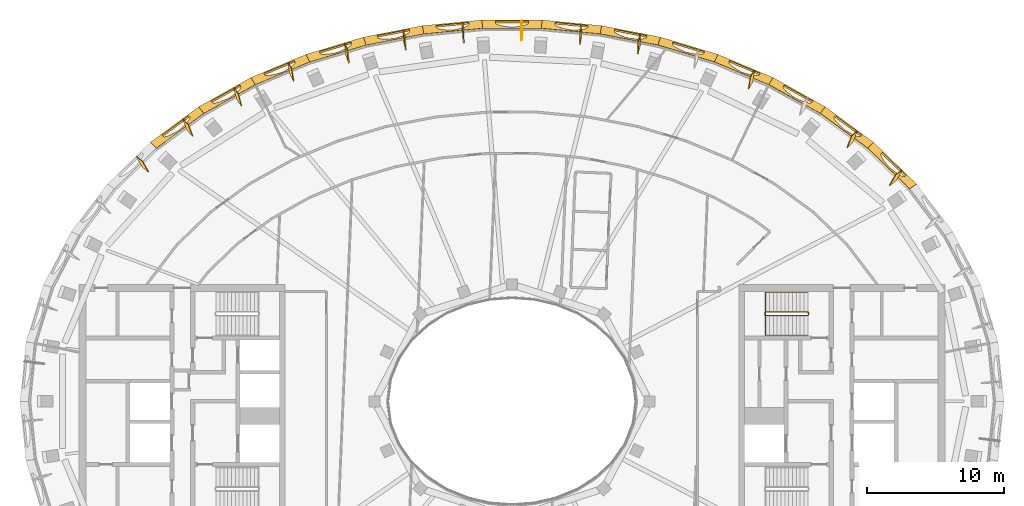
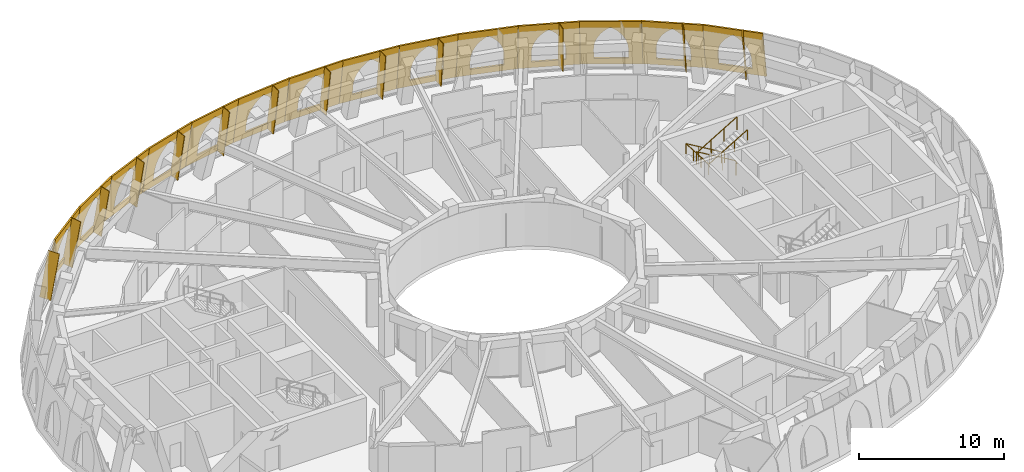
# One storey, part 13 of 14: 27 coverings, 2 railings.
"""IFC4 building model written with IfcOpenShell, lengths in metres."""

from ifc_helpers import new_model, si_unit, direction, frame, origin, origin_2d, place, context, subcontext, project, spatial, polyline, rectangle, outline, extrude, material, layer, layer_set, type_object, element, save


model = new_model("IFC4")

# Units and contexts
model_context = context("Model", 3, precision=1e-05, world=origin(), true_north=direction((0.0, 1.0)))
body_context = subcontext(model_context, "Body", "Model", "MODEL_VIEW")
ifc_project = project(units=[si_unit("LENGTHUNIT", "METRE"), si_unit("AREAUNIT", "SQUARE_METRE"), si_unit("VOLUMEUNIT", "CUBIC_METRE"), si_unit("PLANEANGLEUNIT", "RADIAN"), si_unit("MASSUNIT", "GRAM", prefix="KILO")], contexts=[model_context])

# Site, building, storey
site_placement = place(None, origin())
site = spatial("IfcSite", under=ifc_project, at=site_placement, CompositionType="ELEMENT")
building_placement = place(site_placement, origin())
building = spatial("IfcBuilding", under=site, at=building_placement, Name="Noorbagh Ring Tower", CompositionType="ELEMENT")
storey_placement = place(building_placement, frame((0.0, 0.0, 335.0)))
storey = spatial("IfcBuildingStorey", under=building, at=storey_placement, Name="L73", CompositionType="ELEMENT", Elevation=335.0)

# Railings
ifc_material_1 = material(Name="Stainless steel", Category="steel")
railing_type_1 = type_object("IfcRailingType", Name="CORE-STAIR-GUARD", PredefinedType="GUARDRAIL", material=ifc_material_1)
railing_1_placement = place(storey_placement, frame((21.580078125, 6.449951171875, 0.0)))
element("IfcRailing", 1, at=railing_1_placement, inside=storey, type_object=railing_type_1, Name="L73 ST3 stair guard", PredefinedType="GUARDRAIL", context=body_context, shape_type="SweptSolid", body=[
    extrude(rectangle(XDim=0.048095703125, YDim=0.048095703125, at=origin_2d()), frame((0.0, 0.0, 1.076171875), z_axis=(0.0, -1.0, 0.0), x_axis=(1.0, 0.0, 0.0)), (0.0, 0.0, 1.0), 0.14990234375),
    extrude(rectangle(XDim=0.048095703125, YDim=0.048095703125, at=origin_2d()), frame((0.0, -0.14990234375, 1.076171875), z_axis=(-0.188775798145, 0.754182335027, 0.628945707965), x_axis=(-0.970072785993, -0.242814311512, 0.0)), (0.0, 0.0, 1.0), 0.26513671875),
    extrude(rectangle(XDim=0.048095703125, YDim=0.048095703125, at=origin_2d()), frame((-0.050048828125, 0.050048828125, 1.24267578125), z_axis=(-0.859308565015, 0.0, 0.511457515432), x_axis=(0.0, -1.0, 0.0)), (0.0, 0.0, 1.0), 3.58447265625),
    extrude(rectangle(XDim=0.048095703125, YDim=0.048095703125, at=origin_2d()), frame((-3.130126953125, 0.050048828125, 3.076171875), z_axis=(-0.707106781187, -0.707106781187, 0.0), x_axis=(0.707106781187, -0.707106781187, 0.0)), (0.0, 0.0, 1.0), 0.07080078125),
    extrude(rectangle(XDim=0.048095703125, YDim=0.048095703125, at=origin_2d()), frame((-3.18017578125, 0.0, 3.076171875), z_axis=(0.0, -1.0, 0.0), x_axis=(1.0, 0.0, 0.0)), (0.0, 0.0, 1.0), 0.14990234375),
    extrude(rectangle(XDim=0.048095703125, YDim=0.048095703125, at=origin_2d()), frame((-3.18017578125, -0.14990234375, 3.076171875), z_axis=(0.27628659633, -0.27628659633, 0.920506074601), x_axis=(0.707106781187, 0.707106781187, 0.0)), (0.0, 0.0, 1.0), 0.18115234375),
    extrude(rectangle(XDim=0.048095703125, YDim=0.048095703125, at=origin_2d()), frame((-3.130126953125, -0.199951171875, 3.24267578125), z_axis=(0.859308565015, 0.0, 0.511457515432), x_axis=(0.0, 1.0, 0.0)), (0.0, 0.0, 1.0), 3.58447265625),
    extrude(rectangle(XDim=0.0419921875, YDim=0.0419921875, at=origin_2d()), origin(), (0.0, 0.0, 1.0), 1.052001953125),
    extrude(rectangle(XDim=0.0419921875, YDim=0.0419921875, at=origin_2d()), frame((-1.07666015625, 0.050048828125, 0.77783203125)), (0.0, 0.0, 1.0), 1.052001953125),
    extrude(rectangle(XDim=0.0419921875, YDim=0.0419921875, at=origin_2d()), frame((-2.103515625, 0.050048828125, 1.388916015625)), (0.0, 0.0, 1.0), 1.052001953125),
    extrude(rectangle(XDim=0.0419921875, YDim=0.0419921875, at=origin_2d()), frame((-3.130126953125, 0.050048828125, 2.0)), (0.0, 0.0, 1.0), 1.052001953125),
    extrude(rectangle(XDim=0.0419921875, YDim=0.0419921875, at=origin_2d()), frame((-3.130126953125, -0.199951171875, 2.166748046875)), (0.0, 0.0, 1.0), 1.052001953125),
    extrude(rectangle(XDim=0.0419921875, YDim=0.0419921875, at=origin_2d()), frame((-2.103515625, -0.199951171875, 2.77783203125)), (0.0, 0.0, 1.0), 1.052001953125),
    extrude(rectangle(XDim=0.0419921875, YDim=0.0419921875, at=origin_2d()), frame((-1.07666015625, -0.199951171875, 3.388916015625)), (0.0, 0.0, 1.0), 1.052001953125),
    extrude(rectangle(XDim=0.0419921875, YDim=0.0419921875, at=origin_2d()), frame((-0.050048828125, -0.199951171875, 4.0)), (0.0, 0.0, 1.0), 1.052001953125),
])
ifc_material_2 = material(Name="Stainless steel", Category="steel")
railing_type_2 = type_object("IfcRailingType", Name="CORE-STAIR-HANDRAIL", PredefinedType="HANDRAIL", material=ifc_material_2)
railing_2_placement = place(storey_placement, frame((21.530029296875, 7.949951171875, 0.166748046875)))
element("IfcRailing", 2, at=railing_2_placement, inside=storey, type_object=railing_type_2, Name="L73 ST3 stair handrail", PredefinedType="HANDRAIL", context=body_context, shape_type="SweptSolid", body=[
    extrude(rectangle(XDim=0.048095703125, YDim=0.048095703125, at=origin_2d()), frame((0.0, 0.0, 0.8759765625), z_axis=(-0.859308565015, 0.0, 0.511457515432), x_axis=(0.0, -1.0, 0.0)), (0.0, 0.0, 1.0), 3.58447265625),
    extrude(rectangle(XDim=0.048095703125, YDim=0.048095703125, at=origin_2d()), frame((-3.080078125, 0.0, 2.708984375), z_axis=(0.0, -0.998601747152, 0.052863509014), x_axis=(1.0, 0.0, 0.0)), (0.0, 0.0, 1.0), 3.154296875),
    extrude(rectangle(XDim=0.048095703125, YDim=0.048095703125, at=origin_2d()), frame((-3.080078125, -3.14990234375, 2.8759765625), z_axis=(0.859308565015, 0.0, 0.511457515432), x_axis=(0.0, 1.0, 0.0)), (0.0, 0.0, 1.0), 3.58447265625),
    extrude(rectangle(XDim=0.0419921875, YDim=0.0419921875, at=origin_2d()), origin(), (0.0, 0.0, 1.0), 0.851806640625),
    extrude(rectangle(XDim=0.0419921875, YDim=0.0419921875, at=origin_2d()), frame((-1.026611328125, 0.0, 0.611083984375)), (0.0, 0.0, 1.0), 0.851806640625),
    extrude(rectangle(XDim=0.0419921875, YDim=0.0419921875, at=origin_2d()), frame((-2.053466796875, 0.0, 1.22216796875)), (0.0, 0.0, 1.0), 0.851806640625),
    extrude(rectangle(XDim=0.0419921875, YDim=0.0419921875, at=origin_2d()), frame((-3.080078125, 0.0, 1.833251953125)), (0.0, 0.0, 1.0), 0.851806640625),
    extrude(rectangle(XDim=0.0419921875, YDim=0.0419921875, at=origin_2d()), frame((-3.080078125, -1.050048828125, 1.888916015625)), (0.0, 0.0, 1.0), 0.851806640625),
    extrude(rectangle(XDim=0.0419921875, YDim=0.0419921875, at=origin_2d()), frame((-3.080078125, -2.099853515625, 1.9443359375)), (0.0, 0.0, 1.0), 0.851806640625),
    extrude(rectangle(XDim=0.0419921875, YDim=0.0419921875, at=origin_2d()), frame((-3.080078125, -3.14990234375, 2.0)), (0.0, 0.0, 1.0), 0.851806640625),
    extrude(rectangle(XDim=0.0419921875, YDim=0.0419921875, at=origin_2d()), frame((-2.053466796875, -3.14990234375, 2.611083984375)), (0.0, 0.0, 1.0), 0.851806640625),
    extrude(rectangle(XDim=0.0419921875, YDim=0.0419921875, at=origin_2d()), frame((-1.026611328125, -3.14990234375, 3.22216796875)), (0.0, 0.0, 1.0), 0.851806640625),
    extrude(rectangle(XDim=0.0419921875, YDim=0.0419921875, at=origin_2d()), frame((0.0, -3.14990234375, 3.833251953125)), (0.0, 0.0, 1.0), 0.851806640625),
])

# Coverings
ifc_material_3 = material(Name="Aluminium 6063-T6 black anodised", Category="aluminium")
ifc_layer_1 = layer(ifc_material_3, 0.050048828125)
ifc_layer_set_1 = layer_set([ifc_layer_1], Name="Aluminium 6063-T6 black anodised")
covering_type_1 = type_object("IfcCoveringType", Name="STYLE-HEAD-FIN", PredefinedType="CLADDING", material=ifc_layer_set_1)
covering_1_placement = place(storey_placement, frame((28.400390625, 16.8251953125, 0.0), z_axis=(0.863838294479, -0.50043046025, 0.057902983041), x_axis=(-0.118580178798, -0.090277835868, 0.988831964263)))
element("IfcCovering", 3, at=covering_1_placement, inside=storey, type_object=covering_type_1, Name="Fin rib F05 L73", ObjectType="FIN", PredefinedType="CLADDING", context=body_context, shape_type="SweptSolid", body=[
    extrude(outline(polyline([(0.0, 0.0), (4.045670473682091, 0.0), (4.169479669687322, 0.8914988331312648), (0.12380919600523096, 0.8914988331312648), (0.0, 0.0)])), origin(), (0.0, 0.0, -1.0), 0.050048828125),
])
covering_2_placement = place(storey_placement, frame((25.1455078125, 19.7080078125, 0.0), z_axis=(0.930063475621, -0.362466141249, 0.060001898001), x_axis=(-0.105045115246, -0.105851738948, 0.988817947412)))
element("IfcCovering", 4, at=covering_2_placement, inside=storey, type_object=covering_type_1, Name="Fin rib F06 L73", ObjectType="FIN", PredefinedType="CLADDING", context=body_context, shape_type="SweptSolid", body=[
    extrude(outline(polyline([(0.0, 0.0), (4.045732026869076, 0.0), (4.168789945752913, 0.8913152034637024), (0.12310940737363034, 0.8916272220388416), (0.0, 0.0)])), origin(), (0.0, 0.0, -1.0), 0.050048828125),
])
covering_3_placement = place(storey_placement, frame((17.66162109375, 24.122802734375, 0.0), z_axis=(0.986155065295, -0.157113016858, 0.053044199754), x_axis=(-0.073856126435, -0.129739897216, 0.988793624402)))
element("IfcCovering", 5, at=covering_3_placement, inside=storey, type_object=covering_type_1, Name="Fin rib F08 L73", ObjectType="FIN", PredefinedType="CLADDING", context=body_context, shape_type="SweptSolid", body=[
    extrude(outline(polyline([(0.0, 0.0), (4.04582837090453, 0.0), (4.171614386308706, 0.8912915142073211), (0.12575434062458163, 0.8910524952912179), (0.0, 0.0)])), origin(), (0.0, 0.0, -1.0), 0.050048828125),
])
covering_4_placement = place(storey_placement, frame((9.377685546875, 26.780029296875, 0.0), z_axis=(0.998453433548, -0.044601653719, 0.033187852025), x_axis=(-0.039313208081, -0.144345509092, 0.988746097679)))
element("IfcCovering", 6, at=covering_4_placement, inside=storey, type_object=covering_type_1, Name="Fin rib F10 L73", ObjectType="FIN", PredefinedType="CLADDING", context=body_context, shape_type="SweptSolid", body=[
    extrude(outline(polyline([(0.0, 0.0), (4.045779169894158, 0.0), (4.177144374023018, 0.8904228444187793), (0.13133956147724696, 0.8901911030947073), (0.0, 0.0)])), origin(), (0.0, 0.0, -1.0), 0.050048828125),
])
covering_5_placement = place(storey_placement, frame((5.07568359375, 27.471923828125, 0.0), z_axis=(0.999730598591, -0.012339005082, 0.019659074098), x_axis=(-0.021271979871, -0.148212736495, 0.988726700162)))
element("IfcCovering", 7, at=covering_5_placement, inside=storey, type_object=covering_type_1, Name="Fin rib F11 L73", ObjectType="FIN", PredefinedType="CLADDING", context=body_context, shape_type="SweptSolid", body=[
    extrude(outline(polyline([(0.0, 0.0), (4.0456098010690145, -1.1102230246251565e-16), (4.1792566757149485, 0.8902375471595666), (0.13361588325027393, 0.8899983888723073), (0.0, 0.0)])), origin(), (0.0, 0.0, -1.0), 0.050048828125),
])
covering_6_placement = place(storey_placement, frame((0.72705078125, 27.747802734375, 0.0), z_axis=(0.999916647804, 0.011936064163, 0.004922176051), x_axis=(-0.00307760824, -0.149897624845, 0.988696733277)))
element("IfcCovering", 8, at=covering_6_placement, inside=storey, type_object=covering_type_1, Name="Fin rib F12 L73", ObjectType="FIN", PredefinedType="CLADDING", context=body_context, shape_type="SweptSolid", body=[
    extrude(outline(polyline([(0.0, 0.0), (4.045729964880786, 0.0), (4.180590128556626, 0.889804674708081), (0.1348601636758405, 0.889804674708081), (0.0, 0.0)])), origin(), (0.0, 0.0, -1.0), 0.050048828125),
])
covering_7_placement = place(storey_placement, frame((-3.62841796875, 27.60986328125, 0.0), z_axis=(-0.999322825853, -0.035394661087, 0.010055232219), x_axis=(0.015235823563, -0.14929206221, 0.988675755666)))
element("IfcCovering", 9, at=covering_7_placement, inside=storey, type_object=covering_type_1, Name="Fin rib F13 L73", ObjectType="FIN", PredefinedType="CLADDING", context=body_context, shape_type="SweptSolid", body=[
    extrude(outline(polyline([(0.0, 0.0), (4.045817091332591, -1.1102230246251565e-16), (4.1806124786144645, -0.8900687549625335), (0.13476265870798565, -0.8898356820199538), (0.0, 0.0)])), origin(), (0.0, 0.0, -1.0), 0.050048828125),
])
covering_8_placement = place(storey_placement, frame((-7.950439453125, 27.05712890625, 0.0), z_axis=(-0.997588792025, -0.065086668502, 0.024089989806), x_axis=(0.033433447442, -0.146519102618, 0.98864268427)))
element("IfcCovering", 10, at=covering_8_placement, inside=storey, type_object=covering_type_1, Name="Fin rib F14 L73", ObjectType="FIN", PredefinedType="CLADDING", context=body_context, shape_type="SweptSolid", body=[
    extrude(outline(polyline([(0.0, 0.0), (4.045704005720509, 0.0), (4.179229710509466, -0.8898971362411975), (0.13356147605424487, -0.8901381187296139), (0.0, 0.0)])), origin(), (0.0, 0.0, -1.0), 0.050048828125),
])
covering_9_placement = place(storey_placement, frame((-12.197021484375, 26.084716796875, 0.0), z_axis=(-0.993561817151, -0.107353473286, 0.036195956581), x_axis=(0.051292861275, -0.141387263492, 0.988624642675)))
element("IfcCovering", 11, at=covering_9_placement, inside=storey, type_object=covering_type_1, Name="Fin rib F15 L73", ObjectType="FIN", PredefinedType="CLADDING", context=body_context, shape_type="SweptSolid", body=[
    extrude(outline(polyline([(0.0, 0.0), (4.045778030124915, 1.1102230246251565e-16), (4.177246851844358, -0.890329102387943), (0.13146882171944244, -0.8903291023879432), (0.0, 0.0)])), origin(), (0.0, 0.0, -1.0), 0.050048828125),
])
covering_10_placement = place(storey_placement, frame((-16.321533203125, 24.685546875, 0.0), z_axis=(-0.984725874289, -0.168004964793, 0.045708689656), x_axis=(0.068735391687, -0.133910302154, 0.988606836364)))
element("IfcCovering", 12, at=covering_10_placement, inside=storey, type_object=covering_type_1, Name="Fin rib F16 L73", ObjectType="FIN", PredefinedType="CLADDING", context=body_context, shape_type="SweptSolid", body=[
    extrude(outline(polyline([(0.0, 0.0), (4.045603946517271, 0.0), (4.174814391066827, -0.8907036559767814), (0.12921044454955732, -0.8907036559767814), (0.0, 0.0)])), origin(), (0.0, 0.0, -1.0), 0.050048828125),
])
covering_11_placement = place(storey_placement, frame((-20.26953125, 22.849853515625, 0.0), z_axis=(-0.966350322354, -0.251950041993, 0.051848151617), x_axis=(0.085389945981, -0.124071893242, 0.988592293331)))
element("IfcCovering", 13, at=covering_11_placement, inside=storey, type_object=covering_type_1, Name="Fin rib F17 L73", ObjectType="FIN", PredefinedType="CLADDING", context=body_context, shape_type="SweptSolid", body=[
    extrude(outline(polyline([(0.0, 0.0), (4.0456634607936985, -1.1102230246251565e-16), (4.173099274503681, -0.8908934912765389), (0.12743581370998172, -0.8908934912765388), (0.0, 0.0)])), origin(), (0.0, 0.0, -1.0), 0.050048828125),
])
covering_12_placement = place(storey_placement, frame((-23.97509765625, 20.568603515625, 0.0), z_axis=(-0.930956192269, -0.361060402762, 0.054368682465), x_axis=(0.10107883619, -0.111760002761, 0.988581190726)))
element("IfcCovering", 14, at=covering_12_placement, inside=storey, type_object=covering_type_1, Name="Fin rib F18 L73", ObjectType="FIN", PredefinedType="CLADDING", context=body_context, shape_type="SweptSolid", body=[
    extrude(outline(polyline([(0.0, 0.0), (4.045708897022897, -1.1102230246251565e-16), (4.172383022542843, -0.8910512468773933), (0.12667412551994617, -0.8910512468773933), (0.0, 0.0)])), origin(), (0.0, 0.0, -1.0), 0.050048828125),
])
covering_13_placement = place(storey_placement, frame((-27.35791015625, 17.836181640625, 0.0), z_axis=(-0.868059671999, -0.493634432703, 0.052890951014), x_axis=(0.11538017753, -0.096974866784, 0.988576395553)))
element("IfcCovering", 15, at=covering_13_placement, inside=storey, type_object=covering_type_1, Name="Fin rib F19 L73", ObjectType="FIN", PredefinedType="CLADDING", context=body_context, shape_type="SweptSolid", body=[
    extrude(outline(polyline([(0.0, 0.0), (4.045728521073047, 1.1102230246251565e-16), (4.172908735095398, -0.8908266800160081), (0.1271802140223514, -0.8908266800160081), (0.0, 0.0)])), origin(), (0.0, 0.0, -1.0), 0.050048828125),
])
ifc_material_4 = material(Name="Red sandstone jali", Category="masonry")
ifc_layer_2 = layer(ifc_material_4, 0.1201171875)
ifc_layer_set_2 = layer_set([ifc_layer_2], Name="Red sandstone jali")
covering_type_2 = type_object("IfcCoveringType", Name="STYLE-HEAD-SKIN", PredefinedType="CLADDING", material=ifc_layer_set_2)
covering_14_placement = place(storey_placement, frame((29.442626953125, 15.814208984375, 0.0), z_axis=(0.688669104964, 0.709938144292, 0.147386210845), x_axis=(-0.717777146779, 0.696272911694, 1.671716e-06)))
element("IfcCovering", 16, at=covering_14_placement, inside=storey, type_object=covering_type_2, Name="Head skin panel", ObjectType="HEAD SKIN", PredefinedType="CLADDING", context=body_context, shape_type="SweptSolid", body=[
    extrude(outline(polyline([(0.0, 0.0), (4.3564453125, 0.0), (4.39013671875, 4.044189453125), (0.117919921875, 4.044189453125), (0.0, 0.0)]), holes=[polyline([(0.9921875, 0.550048828125), (1.0087890625, 1.42236328125), (1.034912109375, 1.734619140625), (1.101806640625, 2.04150390625), (1.2080078125, 2.337890625), (1.351806640625, 2.618408203125), (1.530517578125, 2.878662109375), (1.7412109375, 3.114013671875), (1.980224609375, 3.3203125), (2.243896484375, 3.494140625), (2.500732421875, 3.3203125), (2.732177734375, 3.114013671875), (2.93408203125, 2.878662109375), (3.10302734375, 2.618408203125), (3.236083984375, 2.337890625), (3.331298828125, 2.04150390625), (3.386474609375, 1.734619140625), (3.401123046875, 1.42236328125), (3.384765625, 0.550048828125), (0.9921875, 0.550048828125)])]), origin(), (0.0, 0.0, -1.0), 0.1201171875),
])
covering_15_placement = place(storey_placement, frame((26.315673828125, 18.847412109375, 0.0), z_axis=(0.585950228477, 0.79680617859, 0.147520315578), x_axis=(-0.805620688422, 0.592431689209, 2.685004e-06)))
element("IfcCovering", 17, at=covering_15_placement, inside=storey, type_object=covering_type_2, Name="Head skin panel", ObjectType="HEAD SKIN", PredefinedType="CLADDING", context=body_context, shape_type="SweptSolid", body=[
    extrude(outline(polyline([(0.0, 0.0), (4.358154296875, 0.0), (4.392333984375, 4.044189453125), (0.11572265625, 4.044189453125), (0.0, 0.0)]), holes=[polyline([(0.99169921875, 0.550048828125), (1.0078125, 1.420166015625), (1.0341796875, 1.73291015625), (1.10107421875, 2.0400390625), (1.207275390625, 2.336669921875), (1.35107421875, 2.61767578125), (1.52978515625, 2.878173828125), (1.74072265625, 3.11376953125), (1.980224609375, 3.3203125), (2.243896484375, 3.494384765625), (2.501220703125, 3.3203125), (2.73291015625, 3.11376953125), (2.93505859375, 2.878173828125), (3.104248046875, 2.61767578125), (3.237548828125, 2.336669921875), (3.332763671875, 2.0400390625), (3.38818359375, 1.73291015625), (3.40283203125, 1.420166015625), (3.38671875, 0.550048828125), (0.99169921875, 0.550048828125)])]), origin(), (0.0, 0.0, -1.0), 0.1201171875),
])
covering_16_placement = place(storey_placement, frame((22.8046875, 21.42919921875, 0.0), z_axis=(0.483464363398, 0.862796220986, 0.14780017042), x_axis=(-0.872377071732, 0.488833555215, -3.508129e-06)))
element("IfcCovering", 18, at=covering_16_placement, inside=storey, type_object=covering_type_2, Name="Head skin panel", ObjectType="HEAD SKIN", PredefinedType="CLADDING", context=body_context, shape_type="SweptSolid", body=[
    extrude(outline(polyline([(0.0, 0.0), (4.359375, 0.0), (4.388916015625, 4.04443359375), (0.108642578125, 4.04443359375), (0.0, 0.0)]), holes=[polyline([(0.990478515625, 0.550048828125), (1.005615234375, 1.418701171875), (1.03125, 1.7314453125), (1.097900390625, 2.0390625), (1.20361328125, 2.3359375), (1.34716796875, 2.6171875), (1.525634765625, 2.877685546875), (1.736572265625, 3.113525390625), (1.975830078125, 3.3203125), (2.239501953125, 3.494384765625), (2.497314453125, 3.3203125), (2.7294921875, 3.113525390625), (2.93212890625, 2.877685546875), (3.101806640625, 2.6171875), (3.235595703125, 2.3359375), (3.331298828125, 2.0390625), (3.38720703125, 1.7314453125), (3.40234375, 1.418701171875), (3.3876953125, 0.550048828125), (0.990478515625, 0.550048828125)])]), origin(), (0.0, 0.0, -1.0), 0.1201171875),
])
covering_17_placement = place(storey_placement, frame((19.001708984375, 23.560302734375, 0.0), z_axis=(0.382832508522, 0.911842508259, 0.148265001095), x_axis=(-0.922032943495, 0.387111419492, -3.122967e-06)))
element("IfcCovering", 19, at=covering_17_placement, inside=storey, type_object=covering_type_2, Name="Head skin panel", ObjectType="HEAD SKIN", PredefinedType="CLADDING", context=body_context, shape_type="SweptSolid", body=[
    extrude(outline(polyline([(0.0, 0.0), (4.3603515625, 0.0), (4.381103515625, 4.044677734375), (0.09814453125, 4.044677734375), (0.0, 0.0)]), holes=[polyline([(0.989013671875, 0.550048828125), (1.001708984375, 1.41748046875), (1.02685546875, 1.730712890625), (1.092529296875, 2.038330078125), (1.19775390625, 2.33544921875), (1.3408203125, 2.61669921875), (1.518798828125, 2.877685546875), (1.729248046875, 3.113525390625), (1.968017578125, 3.320556640625), (2.2314453125, 3.494873046875), (2.48974609375, 3.320556640625), (2.72265625, 3.113525390625), (2.926025390625, 2.877685546875), (3.0966796875, 2.61669921875), (3.231201171875, 2.33544921875), (3.32763671875, 2.038330078125), (3.384521484375, 1.730712890625), (3.400390625, 1.41748046875), (3.387451171875, 0.550048828125), (0.989013671875, 0.550048828125)])]), origin(), (0.0, 0.0, -1.0), 0.1201171875),
])
covering_18_placement = place(storey_placement, frame((14.9814453125, 25.248291015625, 0.0), z_axis=(0.284549626648, 0.947046829225, 0.148774370201), x_axis=(-0.957705058662, 0.287751664824, 2.118004e-06)))
element("IfcCovering", 20, at=covering_18_placement, inside=storey, type_object=covering_type_2, Name="Head skin panel", ObjectType="HEAD SKIN", PredefinedType="CLADDING", context=body_context, shape_type="SweptSolid", body=[
    extrude(outline(polyline([(0.0, 0.0), (4.361083984375, 0.0), (4.3701171875, 4.044921875), (0.084716796875, 4.044921875), (0.0, 0.0)]), holes=[polyline([(0.987060546875, 0.550048828125), (0.9970703125, 1.416748046875), (1.021240234375, 1.72998046875), (1.0859375, 2.037841796875), (1.1904296875, 2.335205078125), (1.33251953125, 2.61669921875), (1.510009765625, 2.877685546875), (1.719482421875, 3.11376953125), (1.9580078125, 3.32080078125), (2.220947265625, 3.4951171875), (2.47998046875, 3.32080078125), (2.713623046875, 3.11376953125), (2.917724609375, 2.877685546875), (3.089111328125, 2.61669921875), (3.224853515625, 2.335205078125), (3.322265625, 2.037841796875), (3.3798828125, 1.72998046875), (3.396728515625, 1.416748046875), (3.38671875, 0.550048828125), (0.987060546875, 0.550048828125)])]), origin(), (0.0, 0.0, -1.0), 0.1201171875),
])
covering_19_placement = place(storey_placement, frame((10.8046875, 26.503173828125, 0.0), z_axis=(0.188366567624, 0.970696357819, 0.149220029213), x_axis=(-0.981687338021, 0.190499266056, 8.75323e-07)))
element("IfcCovering", 21, at=covering_19_placement, inside=storey, type_object=covering_type_2, Name="Head skin panel", ObjectType="HEAD SKIN", PredefinedType="CLADDING", context=body_context, shape_type="SweptSolid", body=[
    extrude(outline(polyline([(0.0, 0.0), (4.361328125, 0.0), (4.3564453125, 4.045166015625), (0.069580078125, 4.04541015625), (0.0, 0.0)]), holes=[polyline([(0.98486328125, 0.550048828125), (0.99169921875, 1.41650390625), (1.014892578125, 1.729736328125), (1.07861328125, 2.03759765625), (1.181884765625, 2.335205078125), (1.322998046875, 2.61669921875), (1.49951171875, 2.877685546875), (1.70849609375, 3.114013671875), (1.9462890625, 3.32080078125), (2.208740234375, 3.495361328125), (2.468505859375, 3.32080078125), (2.702880859375, 3.114013671875), (2.907958984375, 2.877685546875), (3.080322265625, 2.61669921875), (3.217041015625, 2.335205078125), (3.3154296875, 2.03759765625), (3.374267578125, 1.729736328125), (3.392333984375, 1.41650390625), (3.385498046875, 0.550048828125), (0.98486328125, 0.550048828125)])]), origin(), (0.0, 0.0, -1.0), 0.1201171875),
])
covering_20_placement = place(storey_placement, frame((6.523193359375, 27.333984375, 0.0), z_axis=(0.093798669762, 0.984286011255, 0.149609015766), x_axis=(-0.995490008694, 0.094866446075, -5.16226e-07)))
element("IfcCovering", 22, at=covering_20_placement, inside=storey, type_object=covering_type_2, Name="Head skin panel", ObjectType="HEAD SKIN", PredefinedType="CLADDING", context=body_context, shape_type="SweptSolid", body=[
    extrude(outline(polyline([(0.0, 0.0), (4.362060546875, 0.0), (4.34130859375, 4.045654296875), (0.0537109375, 4.04541015625), (0.0, 0.0)]), holes=[polyline([(0.982666015625, 0.550048828125), (0.986083984375, 1.416259765625), (1.008056640625, 1.7294921875), (1.070556640625, 2.03759765625), (1.172607421875, 2.335205078125), (1.312744140625, 2.61669921875), (1.48828125, 2.8779296875), (1.6962890625, 3.114013671875), (1.933349609375, 3.321044921875), (2.195068359375, 3.49560546875), (2.45556640625, 3.321044921875), (2.69091796875, 3.114013671875), (2.89697265625, 2.8779296875), (3.0703125, 2.61669921875), (3.208251953125, 2.335205078125), (3.307861328125, 2.03759765625), (3.367919921875, 1.7294921875), (3.38720703125, 1.416259765625), (3.3837890625, 0.550048828125), (0.982666015625, 0.550048828125)])]), origin(), (0.0, 0.0, -1.0), 0.1201171875),
])
covering_21_placement = place(storey_placement, frame((2.180908203125, 27.747802734375, 0.0), z_axis=(0.0, 0.988701415616, 0.149898334741), x_axis=(-1.0, 0.0, 0.0)))
element("IfcCovering", 23, at=covering_21_placement, inside=storey, type_object=covering_type_2, Name="Head skin panel", ObjectType="HEAD SKIN", PredefinedType="CLADDING", context=body_context, shape_type="SweptSolid", body=[
    extrude(outline(polyline([(0.0, 0.0), (4.36181640625, 0.0), (4.32470703125, 4.045654296875), (0.037109375, 4.045654296875), (0.0, 0.0)]), holes=[polyline([(0.98046875, 0.550048828125), (0.98046875, 1.416259765625), (1.0009765625, 1.729736328125), (1.062255859375, 2.037841796875), (1.1630859375, 2.335205078125), (1.302001953125, 2.616943359375), (1.4765625, 2.8779296875), (1.68359375, 3.1142578125), (1.919921875, 3.3212890625), (2.180908203125, 3.495849609375), (2.442138671875, 3.3212890625), (2.67822265625, 3.1142578125), (2.885498046875, 2.8779296875), (3.059814453125, 2.616943359375), (3.19873046875, 2.335205078125), (3.2998046875, 2.037841796875), (3.361083984375, 1.729736328125), (3.381591796875, 1.416259765625), (3.381591796875, 0.550048828125), (0.98046875, 0.550048828125)])]), origin(), (0.0, 0.0, -1.0), 0.1201171875),
])
covering_22_placement = place(storey_placement, frame((-2.180908203125, 27.747802734375, 0.0), z_axis=(-0.093791834638, 0.984214286177, 0.150084411714), x_axis=(-0.995490008646, -0.09486644657, 5.17829e-07)))
element("IfcCovering", 24, at=covering_22_placement, inside=storey, type_object=covering_type_2, Name="Head skin panel", ObjectType="HEAD SKIN", PredefinedType="CLADDING", context=body_context, shape_type="SweptSolid", body=[
    extrude(outline(polyline([(0.0, 0.0), (4.362060546875, 0.0), (4.308349609375, 4.0458984375), (0.0205078125, 4.0458984375), (0.0, 0.0)]), holes=[polyline([(0.978271484375, 0.550048828125), (0.974609375, 1.41650390625), (0.993896484375, 1.72998046875), (1.053955078125, 2.0380859375), (1.15380859375, 2.33544921875), (1.29150390625, 2.6171875), (1.46484375, 2.878173828125), (1.6708984375, 3.1142578125), (1.90625, 3.3212890625), (2.166748046875, 3.495849609375), (2.4287109375, 3.3212890625), (2.66552734375, 3.1142578125), (2.87353515625, 2.878173828125), (3.049072265625, 2.6171875), (3.189208984375, 2.33544921875), (3.29150390625, 2.0380859375), (3.35400390625, 1.72998046875), (3.375732421875, 1.41650390625), (3.379150390625, 0.550048828125), (0.978271484375, 0.550048828125)])]), origin(), (0.0, 0.0, -1.0), 0.1201171875),
])
covering_23_placement = place(storey_placement, frame((-6.523193359375, 27.333984375, 0.0), z_axis=(-0.188338868439, 0.970553617532, 0.150180378646), x_axis=(-0.981687338346, -0.190499264381, -8.80827e-07)))
element("IfcCovering", 25, at=covering_23_placement, inside=storey, type_object=covering_type_2, Name="Head skin panel", ObjectType="HEAD SKIN", PredefinedType="CLADDING", context=body_context, shape_type="SweptSolid", body=[
    extrude(outline(polyline([(0.0, 0.0), (4.361328125, 0.0), (4.291748046875, 4.0458984375), (0.0048828125, 4.0458984375), (0.0, 0.0)]), holes=[polyline([(0.97607421875, 0.550048828125), (0.96923828125, 1.4169921875), (0.9873046875, 1.730224609375), (1.0458984375, 2.038330078125), (1.14453125, 2.335693359375), (1.28125, 2.6171875), (1.45361328125, 2.87841796875), (1.65869140625, 3.114501953125), (1.893310546875, 3.321533203125), (2.15283203125, 3.49609375), (2.415283203125, 3.321533203125), (2.653076171875, 3.114501953125), (2.862060546875, 2.87841796875), (3.03857421875, 2.6171875), (3.1796875, 2.335693359375), (3.282958984375, 2.038330078125), (3.3466796875, 1.730224609375), (3.369873046875, 1.4169921875), (3.376708984375, 0.550048828125), (0.97607421875, 0.550048828125)])]), origin(), (0.0, 0.0, -1.0), 0.1201171875),
])
covering_24_placement = place(storey_placement, frame((-10.8046875, 26.503173828125, 0.0), z_axis=(-0.284487919063, 0.946841452141, 0.150192837431), x_axis=(-0.957705060419, -0.287751658977, -2.137734e-06)))
element("IfcCovering", 26, at=covering_24_placement, inside=storey, type_object=covering_type_2, Name="Head skin panel", ObjectType="HEAD SKIN", PredefinedType="CLADDING", context=body_context, shape_type="SweptSolid", body=[
    extrude(outline(polyline([(0.0, 0.0), (4.361083984375, 0.0), (4.2763671875, 4.0458984375), (-0.0087890625, 4.0458984375), (0.0, 0.0)]), holes=[polyline([(0.974365234375, 0.550048828125), (0.964111328125, 1.417724609375), (0.981201171875, 1.73095703125), (1.038818359375, 2.038818359375), (1.13623046875, 2.3359375), (1.27197265625, 2.61767578125), (1.443115234375, 2.878662109375), (1.6474609375, 3.114501953125), (1.881103515625, 3.321533203125), (2.14013671875, 3.495849609375), (2.403076171875, 3.321533203125), (2.6416015625, 3.114501953125), (2.851318359375, 2.878662109375), (3.028564453125, 2.61767578125), (3.170654296875, 2.3359375), (3.27490234375, 2.038818359375), (3.33984375, 1.73095703125), (3.364013671875, 1.417724609375), (3.3740234375, 0.550048828125), (0.974365234375, 0.550048828125)])]), origin(), (0.0, 0.0, -1.0), 0.1201171875),
])
covering_25_placement = place(storey_placement, frame((-14.9814453125, 25.248291015625, 0.0), z_axis=(-0.382724341536, 0.911584872729, 0.150116948434), x_axis=(-0.922032938938, -0.387111430343, 3.161082e-06)))
element("IfcCovering", 27, at=covering_25_placement, inside=storey, type_object=covering_type_2, Name="Head skin panel", ObjectType="HEAD SKIN", PredefinedType="CLADDING", context=body_context, shape_type="SweptSolid", body=[
    extrude(outline(polyline([(0.0, 0.0), (4.3603515625, 0.0), (4.26220703125, 4.0458984375), (-0.020751953125, 4.0458984375), (0.0, 0.0)]), holes=[polyline([(0.972900390625, 0.550048828125), (0.960205078125, 1.418701171875), (0.97607421875, 1.731689453125), (1.03271484375, 2.03955078125), (1.129150390625, 2.336669921875), (1.263916015625, 2.617919921875), (1.434326171875, 2.87890625), (1.6376953125, 3.11474609375), (1.87060546875, 3.321533203125), (2.12890625, 3.495849609375), (2.392333984375, 3.321533203125), (2.631103515625, 3.11474609375), (2.841552734375, 2.87890625), (3.019775390625, 2.617919921875), (3.16259765625, 2.336669921875), (3.267822265625, 2.03955078125), (3.33349609375, 1.731689453125), (3.358642578125, 1.418701171875), (3.371337890625, 0.550048828125), (0.972900390625, 0.550048828125)])]), origin(), (0.0, 0.0, -1.0), 0.1201171875),
])
covering_26_placement = place(storey_placement, frame((-19.001708984375, 23.560302734375, 0.0), z_axis=(-0.483324210098, 0.862496243592, 0.149993125589), x_axis=(-0.872365284599, -0.488854590064, -9.6689e-08)))
element("IfcCovering", 28, at=covering_26_placement, inside=storey, type_object=covering_type_2, Name="Head skin panel", ObjectType="HEAD SKIN", PredefinedType="CLADDING", context=body_context, shape_type="SweptSolid", body=[
    extrude(outline(polyline([(0.0, 0.0), (4.359375, 0.0), (4.250732421875, 4.045654296875), (-0.029541015625, 4.045654296875), (0.0, 0.0)]), holes=[polyline([(0.9716796875, 0.550048828125), (0.956787109375, 1.419921875), (0.97216796875, 1.73291015625), (1.028076171875, 2.040283203125), (1.123779296875, 2.33740234375), (1.257568359375, 2.618408203125), (1.42724609375, 2.879150390625), (1.6298828125, 3.114990234375), (1.8623046875, 3.32177734375), (2.119873046875, 3.495849609375), (2.383544921875, 3.32177734375), (2.622802734375, 3.114990234375), (2.83349609375, 2.879150390625), (3.01220703125, 2.618408203125), (3.15576171875, 2.33740234375), (3.26171875, 2.040283203125), (3.327880859375, 1.73291015625), (3.35400390625, 1.419921875), (3.368896484375, 0.550048828125), (0.9716796875, 0.550048828125)])]), origin(), (0.0, 0.0, -1.0), 0.1201171875),
])
covering_27_placement = place(storey_placement, frame((-22.8046875, 21.42919921875, 0.0), z_axis=(-0.585735649064, 0.796514382131, 0.149928611258), x_axis=(-0.805620696232, -0.592431678589, -2.727838e-06)))
element("IfcCovering", 29, at=covering_27_placement, inside=storey, type_object=covering_type_2, Name="Head skin panel", ObjectType="HEAD SKIN", PredefinedType="CLADDING", context=body_context, shape_type="SweptSolid", body=[
    extrude(outline(polyline([(0.0, 0.0), (4.358154296875, 0.0), (4.242431640625, 4.045654296875), (-0.034423828125, 4.045654296875), (0.0, 0.0)]), holes=[polyline([(0.971435546875, 0.550048828125), (0.955078125, 1.421630859375), (0.969970703125, 1.734375), (1.025390625, 2.04150390625), (1.12060546875, 2.338134765625), (1.25390625, 2.619140625), (1.423095703125, 2.879638671875), (1.625244140625, 3.115234375), (1.85693359375, 3.32177734375), (2.1142578125, 3.495849609375), (2.3779296875, 3.32177734375), (2.6171875, 3.115234375), (2.828125, 2.879638671875), (3.007080078125, 2.619140625), (3.15087890625, 2.338134765625), (3.257080078125, 2.04150390625), (3.32373046875, 1.734375), (3.35009765625, 1.421630859375), (3.3662109375, 0.550048828125), (0.971435546875, 0.550048828125)])]), origin(), (0.0, 0.0, -1.0), 0.1201171875),
])

save(model, "model.ifc")
